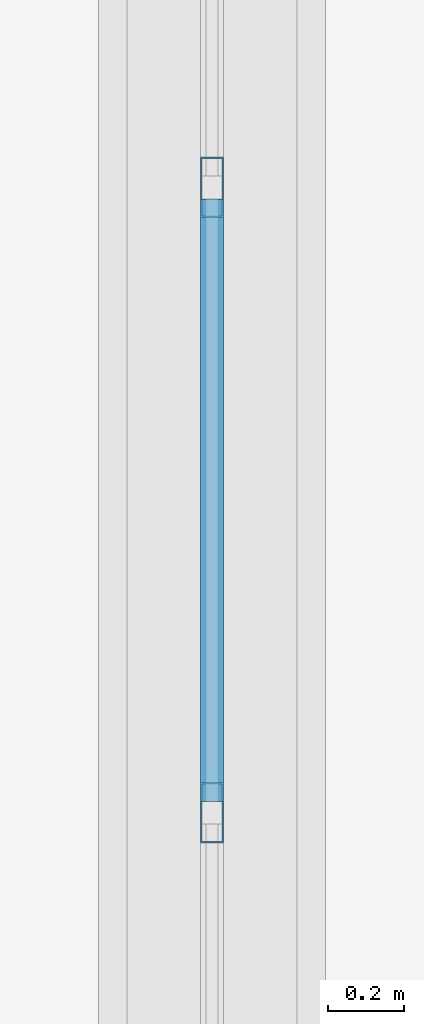
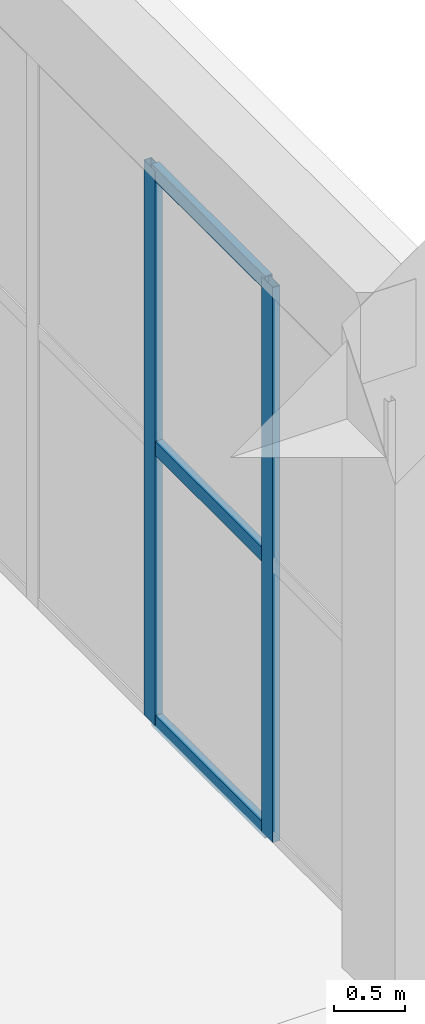
# One storey, part 20 of 91: 5 members, 1 element without a shape of its own.
"""IFC4 building model written with IfcOpenShell, lengths in metres."""

from ifc_helpers import new_model, si_unit, direction, frame, origin, origin_2d, place, context, subcontext, project, spatial, hollow_rectangle, extrude, material, layer, layer_set, material_profile, profile_set, type_object, element, aggregate, save


model = new_model("IFC4")

# Units and contexts
model_context = context("Model", 3, precision=1e-05, world=origin(), true_north=direction((0.0, 1.0)))
body_context = subcontext(model_context, "Body", "Model", "MODEL_VIEW")
ifc_project = project(units=[si_unit("LENGTHUNIT", "METRE"), si_unit("AREAUNIT", "SQUARE_METRE"), si_unit("VOLUMEUNIT", "CUBIC_METRE"), si_unit("PLANEANGLEUNIT", "RADIAN"), si_unit("MASSUNIT", "GRAM", prefix="KILO")], contexts=[model_context])

# Site, building, storey
site_placement = place(None, origin())
site = spatial("IfcSite", under=ifc_project, at=site_placement, CompositionType="ELEMENT")
building_placement = place(site_placement, origin())
building = spatial("IfcBuilding", under=site, at=building_placement, Name="Dornveld Trade and Exhibition Forum", CompositionType="ELEMENT")
storey_placement = place(building_placement, origin())
storey = spatial("IfcBuildingStorey", under=building, at=storey_placement, Name="L00", CompositionType="ELEMENT", Elevation=0.0)

# Curtain wall, members
ifc_material_1 = material(Name="Dark-bronze anodised aluminium and low-E glass", Category="aluminium")
ifc_layer = layer(ifc_material_1, 0.18408203125)
ifc_layer_set = layer_set([ifc_layer], Name="Dark-bronze anodised aluminium and low-E glass")
curtain_wall_type = type_object("IfcCurtainWallType", Name="CW-SYS-14", PredefinedType="USERDEFINED", material=ifc_layer_set)
curtain_wall_placement = place(storey_placement, origin())
curtain_wall = element("IfcCurtainWall", 1, at=curtain_wall_placement, inside=storey, type_object=curtain_wall_type, Name="L00 unitised curtain wall 68", ObjectType="UNITISED_CURTAIN_WALL", PredefinedType="USERDEFINED")
ifc_material_2 = material(Name="Dark-bronze anodised aluminium", Category="aluminium")
ifc_material_profile_1 = material_profile(ifc_material_2, hollow_rectangle(XDim=0.06005859375, YDim=0.159912109375, WallThickness=0.00390625, at=origin_2d()), Name="RHS 160x60x4")
ifc_profile_set_1 = profile_set([ifc_material_profile_1], Name="Dark-bronze anodised aluminium")
member_type_1 = type_object("IfcMemberType", Name="CW-MUL-160", PredefinedType="MULLION", material=ifc_profile_set_1)
member_1_placement = place(storey_placement, frame((234.0, 29.022705078125, -0.00390625), z_axis=(0.0, 0.0, 1.0), x_axis=(-1.0, 0.0, 0.0)))
member_1 = element("IfcMember", 2, at=member_1_placement, type_object=member_type_1, Name="CW-14 mullion 2", PredefinedType="MULLION", context=body_context, shape_type="SweptSolid", body=[
    extrude(hollow_rectangle(XDim=0.06005859375, YDim=0.159912109375, WallThickness=0.00390625, at=origin_2d()), origin(), (0.0, 0.0, 1.0), 4.763916015625),
])
member_2_placement = place(storey_placement, frame((234.0, 30.67431640625, -0.00390625), z_axis=(0.0, 0.0, 1.0), x_axis=(-1.0, 0.0, 0.0)))
member_2 = element("IfcMember", 3, at=member_2_placement, type_object=member_type_1, Name="CW-14 mullion 3", PredefinedType="MULLION", context=body_context, shape_type="SweptSolid", body=[
    extrude(hollow_rectangle(XDim=0.06005859375, YDim=0.159912109375, WallThickness=0.00390625, at=origin_2d()), origin(), (0.0, 0.0, 1.0), 4.763916015625),
])
ifc_material_3 = material(Name="Dark-bronze anodised aluminium", Category="aluminium")
ifc_material_profile_2 = material_profile(ifc_material_3, hollow_rectangle(XDim=0.06005859375, YDim=0.1201171875, WallThickness=0.00390625, at=origin_2d()), Name="RHS 120x60x4")
ifc_profile_set_2 = profile_set([ifc_material_profile_2], Name="Dark-bronze anodised aluminium")
member_type_2 = type_object("IfcMemberType", Name="CW-TRN-120", PredefinedType="USERDEFINED", material=ifc_profile_set_2)
member_3_placement = place(storey_placement, frame((234.0, 29.052490234375, 0.02587890625), z_axis=(0.0, 1.0, 0.0), x_axis=(-1.0, 0.0, 0.0)))
member_3 = element("IfcMember", 4, at=member_3_placement, type_object=member_type_2, Name="CW-14 transom 2.1", ObjectType="TRANSOM", PredefinedType="USERDEFINED", context=body_context, shape_type="SweptSolid", body=[
    extrude(hollow_rectangle(XDim=0.06005859375, YDim=0.1201171875, WallThickness=0.00390625, at=origin_2d()), origin(), (0.0, 0.0, 1.0), 1.591796875),
])
member_4_placement = place(storey_placement, frame((234.0, 29.052490234375, 2.3779296875), z_axis=(0.0, 1.0, 0.0), x_axis=(-1.0, 0.0, 0.0)))
member_4 = element("IfcMember", 5, at=member_4_placement, type_object=member_type_2, Name="CW-14 transom 2.2", ObjectType="TRANSOM", PredefinedType="USERDEFINED", context=body_context, shape_type="SweptSolid", body=[
    extrude(hollow_rectangle(XDim=0.06005859375, YDim=0.1201171875, WallThickness=0.00390625, at=origin_2d()), origin(), (0.0, 0.0, 1.0), 1.591796875),
])
member_5_placement = place(storey_placement, frame((234.0, 29.052490234375, 4.72998046875), z_axis=(0.0, 1.0, 0.0), x_axis=(-1.0, 0.0, 0.0)))
member_5 = element("IfcMember", 6, at=member_5_placement, type_object=member_type_2, Name="CW-14 transom 2.3", ObjectType="TRANSOM", PredefinedType="USERDEFINED", context=body_context, shape_type="SweptSolid", body=[
    extrude(hollow_rectangle(XDim=0.06005859375, YDim=0.1201171875, WallThickness=0.00390625, at=origin_2d()), origin(), (0.0, 0.0, 1.0), 1.591796875),
])
aggregate(curtain_wall, [member_1, member_2, member_3, member_4, member_5])

save(model, "model.ifc")
